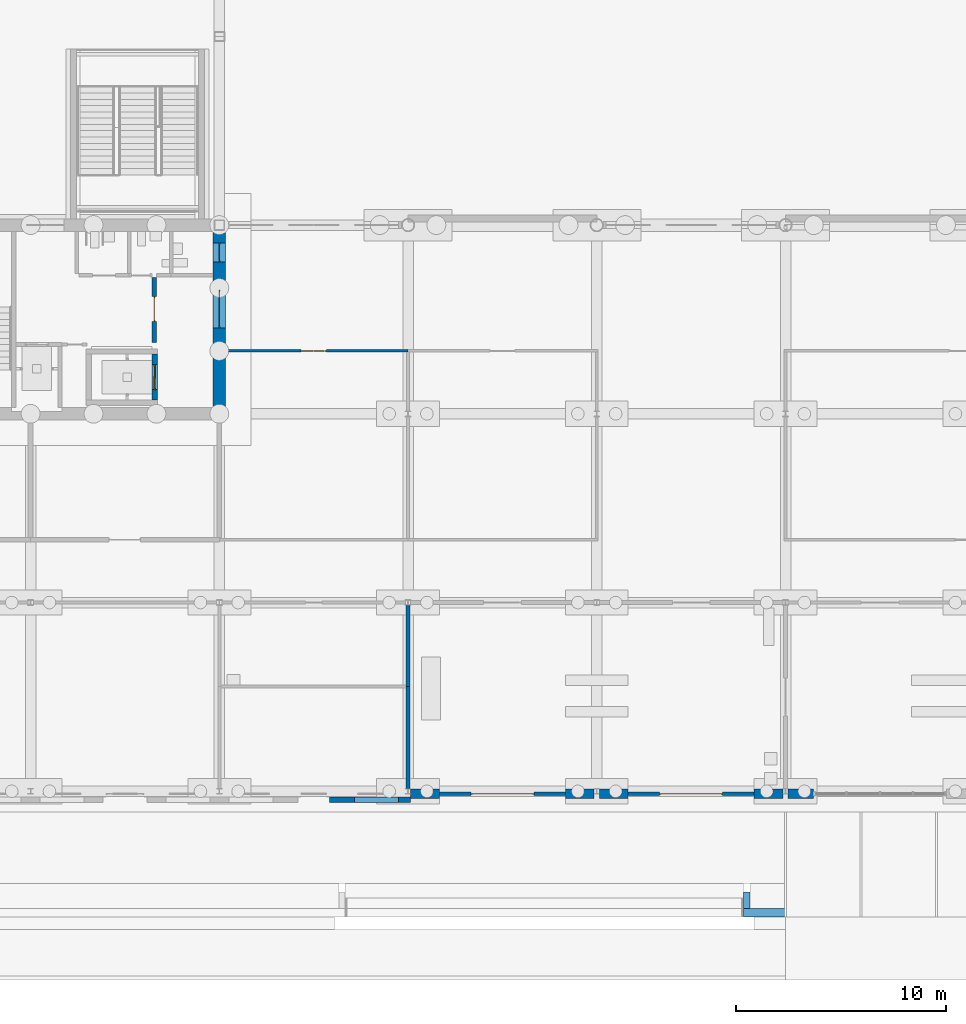
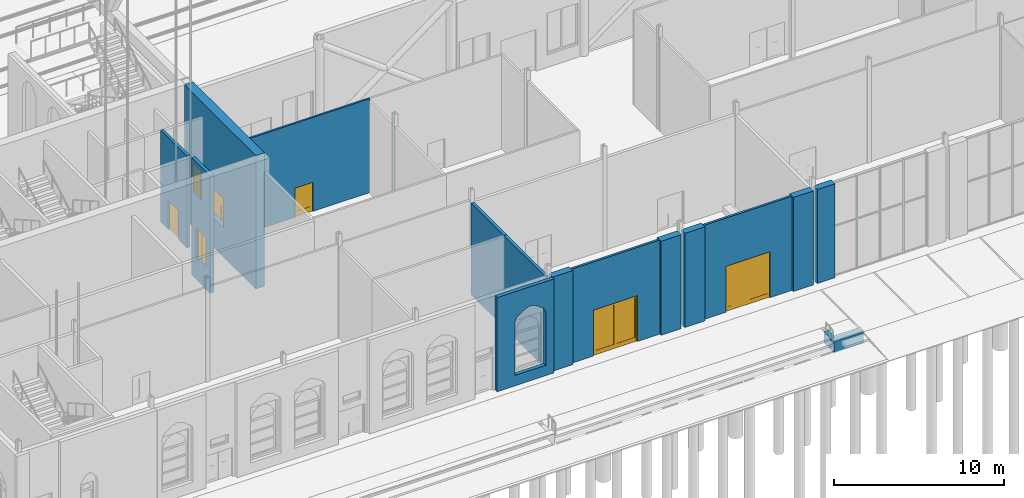
# One storey, part 95 of 250: 16 walls, 7 doors, 7 openings.
"""IFC4 building model written with IfcOpenShell, lengths in metres."""

from ifc_helpers import new_model, si_unit, direction, frame, frame_2d, origin, place, context, subcontext, project, spatial, polyline, rectangle, outline, extrude, material, layer, layer_set, type_object, element, fill, save


model = new_model("IFC4")

# Units and contexts
model_context = context("Model", 3, precision=1e-05, world=origin(), true_north=direction((0.0, 1.0)))
body_context = subcontext(model_context, "Body", "Model", "MODEL_VIEW")
ifc_project = project(units=[si_unit("LENGTHUNIT", "METRE"), si_unit("AREAUNIT", "SQUARE_METRE"), si_unit("VOLUMEUNIT", "CUBIC_METRE"), si_unit("PLANEANGLEUNIT", "RADIAN"), si_unit("MASSUNIT", "GRAM", prefix="KILO")], contexts=[model_context])

# Site, building, storey
site_placement = place(None, origin())
site = spatial("IfcSite", under=ifc_project, at=site_placement, CompositionType="ELEMENT")
building_placement = place(site_placement, origin())
building = spatial("IfcBuilding", under=site, at=building_placement, Name="Baradari Gate Terminus", CompositionType="ELEMENT")
storey_placement = place(building_placement, origin())
storey = spatial("IfcBuildingStorey", under=building, at=storey_placement, Name="L00", CompositionType="ELEMENT", Elevation=0.0)

# Wall, openings, doors
ifc_material_1 = material(Name="Concrete C40/50", Category="concrete")
ifc_layer_1 = layer(ifc_material_1, 0.60009765625)
ifc_layer_set_1 = layer_set([ifc_layer_1], Name="Concrete C40/50")
wall_type_1 = type_object("IfcWallType", Name="Abutment core wall CWL04 600", PredefinedType="SOLIDWALL", material=ifc_layer_set_1)
wall_1_placement = place(storey_placement, frame((90.0, 27.300048828125, -2.10009765625), z_axis=(0.0, 0.0, 1.0), x_axis=(0.0, 1.0, 0.0)))
wall_1 = element("IfcWall", 1, at=wall_1_placement, inside=storey, type_object=wall_type_1, Name="Abutment core wall GS E L00", PredefinedType="SOLIDWALL", context=body_context, shape_type="SweptSolid", body=[
    extrude(rectangle(XDim=8.39990234375, YDim=0.60009765625, at=frame_2d((4.199951171875, 0.0))), origin(), (0.0, 0.0, 1.0), 9.60009765625),
])
opening_1_placement = place(wall_1_placement, frame((3.800048828125, 0.0, 2.10009765625)))
opening_1 = element("IfcOpeningElement", 2, at=opening_1_placement, cuts=wall_1, Name="Opening D00-165", PredefinedType="OPENING", context=body_context, shape_type="SweptSolid", body=[
    extrude(rectangle(XDim=1.800048828125, YDim=2.10009765625, at=frame_2d((0.89990234375, 1.050048828125))), frame((0.0, 0.31005859375, 0.0), z_axis=(0.0, -1.0, 0.0), x_axis=(1.0, 0.0, 0.0)), (0.0, 0.0, 1.0), 0.6201171875),
])
opening_2_placement = place(wall_1_placement, frame((6.949951171875, 0.0, 2.10009765625)))
opening_2 = element("IfcOpeningElement", 3, at=opening_2_placement, cuts=wall_1, Name="Opening D00-169", PredefinedType="OPENING", context=body_context, shape_type="SweptSolid", body=[
    extrude(rectangle(XDim=0.89990234375, YDim=2.10009765625, at=frame_2d((0.449951171875, 1.050048828125))), frame((0.0, 0.31005859375, 0.0), z_axis=(0.0, -1.0, 0.0), x_axis=(1.0, 0.0, 0.0)), (0.0, 0.0, 1.0), 0.6201171875),
])
ifc_material_2 = material(Name="Steel S275", Category="steel")
door_type_1 = type_object("IfcDoorType", Name="Fire door FI-1800-FD90S 1800x2100 FD90S", OperationType="DOUBLE_DOOR_SINGLE_SWING", PredefinedType="DOOR", material=ifc_material_2)
door_1_placement = place(opening_1_placement, origin())
door_1 = element("IfcDoor", 4, at=door_1_placement, inside=storey, type_object=door_type_1, Name="Door Lift Lobby (Fire-fighting)", OperationType="DOUBLE_DOOR_SINGLE_SWING", OverallHeight=2.1, OverallWidth=1.8, PredefinedType="DOOR", context=body_context, shape_type="SweptSolid", body=[
    extrude(outline(polyline([(0.0, 0.0), (0.070068359375, 0.0), (0.070068359375, 2.030029296875), (1.72998046875, 2.030029296875), (1.72998046875, 0.0), (1.800048828125, 0.0), (1.800048828125, 2.10009765625), (0.0, 2.10009765625), (0.0, 0.0)])), frame((0.0, 0.02490234375, 0.0), z_axis=(0.0, -1.0, 0.0), x_axis=(1.0, 0.0, 0.0)), (0.0, 0.0, 1.0), 0.050048828125),
    extrude(outline(polyline([(0.073974609375, 0.010009765625), (0.89697265625, 0.010009765625), (0.89697265625, 2.026123046875), (0.073974609375, 2.026123046875), (0.073974609375, 0.010009765625)]), holes=[polyline([(0.194091796875, 0.159912109375), (0.77685546875, 0.159912109375), (0.77685546875, 1.010009765625), (0.194091796875, 1.010009765625), (0.194091796875, 0.159912109375)]), polyline([(0.33544921875, 1.159912109375), (0.635498046875, 1.159912109375), (0.635498046875, 1.760009765625), (0.33544921875, 1.760009765625), (0.33544921875, 1.159912109375)])]), frame((0.0, 0.017333984375, 0.0), z_axis=(0.0, -1.0, 0.0), x_axis=(1.0, 0.0, 0.0)), (0.0, 0.0, 1.0), 0.034912109375),
    extrude(rectangle(XDim=0.582763671875, YDim=0.85009765625, at=frame_2d((0.4853515625, 0.5849609375))), frame((0.0, 0.008544921875, 0.0), z_axis=(0.0, -1.0, 0.0), x_axis=(1.0, 0.0, 0.0)), (0.0, 0.0, 1.0), 0.017333984375),
    extrude(rectangle(XDim=0.300048828125, YDim=0.60009765625, at=frame_2d((0.4853515625, 1.4599609375))), frame((0.0, 0.005859375, 0.0), z_axis=(0.0, -1.0, 0.0), x_axis=(1.0, 0.0, 0.0)), (0.0, 0.0, 1.0), 0.011962890625),
    extrude(outline(polyline([(0.903076171875, 0.010009765625), (1.72607421875, 0.010009765625), (1.72607421875, 2.026123046875), (0.903076171875, 2.026123046875), (0.903076171875, 0.010009765625)]), holes=[polyline([(1.023193359375, 0.159912109375), (1.60595703125, 0.159912109375), (1.60595703125, 1.010009765625), (1.023193359375, 1.010009765625), (1.023193359375, 0.159912109375)]), polyline([(1.16455078125, 1.159912109375), (1.464599609375, 1.159912109375), (1.464599609375, 1.760009765625), (1.16455078125, 1.760009765625), (1.16455078125, 1.159912109375)])]), frame((0.0, 0.017333984375, 0.0), z_axis=(0.0, -1.0, 0.0), x_axis=(1.0, 0.0, 0.0)), (0.0, 0.0, 1.0), 0.034912109375),
    extrude(rectangle(XDim=0.582763671875, YDim=0.85009765625, at=frame_2d((1.314453125, 0.5849609375))), frame((0.0, 0.008544921875, 0.0), z_axis=(0.0, -1.0, 0.0), x_axis=(1.0, 0.0, 0.0)), (0.0, 0.0, 1.0), 0.017333984375),
    extrude(rectangle(XDim=0.300048828125, YDim=0.60009765625, at=frame_2d((1.314453125, 1.4599609375))), frame((0.0, 0.005859375, 0.0), z_axis=(0.0, -1.0, 0.0), x_axis=(1.0, 0.0, 0.0)), (0.0, 0.0, 1.0), 0.011962890625),
])
fill(opening_1, door_1)
ifc_material_3 = material(Name="Steel S275", Category="steel")
door_type_2 = type_object("IfcDoorType", Name="Fire door FI-900-FD90S 900x2100 FD90S", OperationType="SINGLE_SWING_LEFT", PredefinedType="DOOR", material=ifc_material_3)
door_2_placement = place(opening_2_placement, origin())
door_2 = element("IfcDoor", 5, at=door_2_placement, inside=storey, type_object=door_type_2, Name="Door Female WC", OperationType="SINGLE_SWING_LEFT", OverallHeight=2.1, OverallWidth=0.9, PredefinedType="DOOR", context=body_context, shape_type="SweptSolid", body=[
    extrude(outline(polyline([(0.0, 0.0), (0.070068359375, 0.0), (0.070068359375, 2.030029296875), (0.829833984375, 2.030029296875), (0.829833984375, 0.0), (0.89990234375, 0.0), (0.89990234375, 2.10009765625), (0.0, 2.10009765625), (0.0, 0.0)])), frame((0.0, 0.02490234375, 0.0), z_axis=(0.0, -1.0, 0.0), x_axis=(1.0, 0.0, 0.0)), (0.0, 0.0, 1.0), 0.050048828125),
    extrude(outline(polyline([(0.073974609375, 0.010009765625), (0.825927734375, 0.010009765625), (0.825927734375, 2.026123046875), (0.073974609375, 2.026123046875), (0.073974609375, 0.010009765625)]), holes=[polyline([(0.194091796875, 0.159912109375), (0.705810546875, 0.159912109375), (0.705810546875, 1.010009765625), (0.194091796875, 1.010009765625), (0.194091796875, 0.159912109375)]), polyline([(0.300048828125, 1.159912109375), (0.599853515625, 1.159912109375), (0.599853515625, 1.760009765625), (0.300048828125, 1.760009765625), (0.300048828125, 1.159912109375)])]), frame((0.0, 0.017333984375, 0.0), z_axis=(0.0, -1.0, 0.0), x_axis=(1.0, 0.0, 0.0)), (0.0, 0.0, 1.0), 0.034912109375),
    extrude(rectangle(XDim=0.51171875, YDim=0.85009765625, at=frame_2d((0.449951171875, 0.5849609375))), frame((0.0, 0.008544921875, 0.0), z_axis=(0.0, -1.0, 0.0), x_axis=(1.0, 0.0, 0.0)), (0.0, 0.0, 1.0), 0.017333984375),
    extrude(rectangle(XDim=0.2998046875, YDim=0.60009765625, at=frame_2d((0.449951171875, 1.4599609375))), frame((0.0, 0.005859375, 0.0), z_axis=(0.0, -1.0, 0.0), x_axis=(1.0, 0.0, 0.0)), (0.0, 0.0, 1.0), 0.011962890625),
])
fill(opening_2, door_2)

# Wall, opening, door
ifc_material_4 = material(Name="Gypsum board")
ifc_layer_2 = layer(ifc_material_4, 0.125)
ifc_layer_set_2 = layer_set([ifc_layer_2], Name="Gypsum board")
wall_type_2 = type_object("IfcWallType", Name="Corridor partition PT-5 125 EI 30", PredefinedType="PARTITIONING", material=ifc_layer_set_2)
wall_2_placement = place(storey_placement, frame((99.0, 30.0, 0.0), z_axis=(0.0, 0.0, 1.0), x_axis=(-1.0, 0.0, 0.0)))
wall_2 = element("IfcWall", 6, at=wall_2_placement, inside=storey, type_object=wall_type_2, Name="PT-5 partition Corridor (Platform Passage South) / Station Operations Room", PredefinedType="PARTITIONING", context=body_context, shape_type="SweptSolid", body=[
    extrude(rectangle(XDim=8.697998046875, YDim=0.125, at=frame_2d((4.34912109375, 0.0))), origin(), (0.0, 0.0, 1.0), 6.757080078125),
])
opening_3_placement = place(wall_2_placement, frame((3.89990234375, 0.0, 0.0)))
opening_3 = element("IfcOpeningElement", 7, at=opening_3_placement, cuts=wall_2, Name="Opening D00-132", PredefinedType="OPENING", context=body_context, shape_type="SweptSolid", body=[
    extrude(rectangle(XDim=1.199951171875, YDim=2.10009765625, at=frame_2d((0.60009765625, 1.050048828125))), frame((0.0, 0.072509765625, 0.0), z_axis=(0.0, -1.0, 0.0), x_axis=(1.0, 0.0, 0.0)), (0.0, 0.0, 1.0), 0.14501953125),
])
ifc_material_5 = material(Name="Steel S275", Category="steel")
door_type_3 = type_object("IfcDoorType", Name="Fire door FI-1200-FD30S 1200x2100 FD30S", OperationType="DOUBLE_DOOR_SINGLE_SWING", PredefinedType="DOOR", material=ifc_material_5)
door_3_placement = place(opening_3_placement, origin())
door_3 = element("IfcDoor", 8, at=door_3_placement, inside=storey, type_object=door_type_3, Name="Door Station Operations Room", OperationType="DOUBLE_DOOR_SINGLE_SWING", OverallHeight=2.1, OverallWidth=1.2, PredefinedType="DOOR", context=body_context, shape_type="SweptSolid", body=[
    extrude(outline(polyline([(0.0, 0.0), (0.070068359375, 0.0), (0.070068359375, 2.030029296875), (1.1298828125, 2.030029296875), (1.1298828125, 0.0), (1.199951171875, 0.0), (1.199951171875, 2.10009765625), (0.0, 2.10009765625), (0.0, 0.0)])), frame((0.0, 0.02490234375, 0.0), z_axis=(0.0, -1.0, 0.0), x_axis=(1.0, 0.0, 0.0)), (0.0, 0.0, 1.0), 0.050048828125),
    extrude(outline(polyline([(0.073974609375, 0.010009765625), (0.596923828125, 0.010009765625), (0.596923828125, 2.026123046875), (0.073974609375, 2.026123046875), (0.073974609375, 0.010009765625)]), holes=[polyline([(0.178466796875, 0.372802734375), (0.492431640625, 0.372802734375), (0.492431640625, 1.7841796875), (0.178466796875, 1.7841796875), (0.178466796875, 0.372802734375)])]), frame((0.0, 0.017333984375, 0.0), z_axis=(0.0, -1.0, 0.0), x_axis=(1.0, 0.0, 0.0)), (0.0, 0.0, 1.0), 0.034912109375),
    extrude(rectangle(XDim=0.31396484375, YDim=1.411376953125, at=frame_2d((0.33544921875, 1.07861328125))), frame((0.0, 0.008544921875, 0.0), z_axis=(0.0, -1.0, 0.0), x_axis=(1.0, 0.0, 0.0)), (0.0, 0.0, 1.0), 0.017333984375),
    extrude(outline(polyline([(0.60302734375, 0.010009765625), (1.1259765625, 0.010009765625), (1.1259765625, 2.026123046875), (0.60302734375, 2.026123046875), (0.60302734375, 0.010009765625)]), holes=[polyline([(0.70751953125, 0.372802734375), (1.021484375, 0.372802734375), (1.021484375, 1.7841796875), (0.70751953125, 1.7841796875), (0.70751953125, 0.372802734375)])]), frame((0.0, 0.017333984375, 0.0), z_axis=(0.0, -1.0, 0.0), x_axis=(1.0, 0.0, 0.0)), (0.0, 0.0, 1.0), 0.034912109375),
    extrude(rectangle(XDim=0.31396484375, YDim=1.411376953125, at=frame_2d((0.864501953125, 1.07861328125))), frame((0.0, 0.008544921875, 0.0), z_axis=(0.0, -1.0, 0.0), x_axis=(1.0, 0.0, 0.0)), (0.0, 0.0, 1.0), 0.017333984375),
])
fill(opening_3, door_3)

ifc_material_6 = material(Name="Concrete C32/40", Category="concrete")
ifc_layer_3 = layer(ifc_material_6, 0.25)
ifc_layer_set_3 = layer_set([ifc_layer_3], Name="Concrete C32/40")
wall_type_3 = type_object("IfcWallType", Name="Firefighting lift shaft wall SH-2 250 EI 120", PredefinedType="SOLIDWALL", material=ifc_layer_set_3)
wall_3_placement = place(storey_placement, frame((86.925048828125, 27.64990234375, -1.60009765625), z_axis=(0.0, 0.0, 1.0), x_axis=(0.0, 1.0, 0.0)))
wall_3 = element("IfcWall", 9, at=wall_3_placement, inside=storey, type_object=wall_type_3, Name="Lift shaft wall LGS2 L00 E", PredefinedType="SOLIDWALL", context=body_context, shape_type="SweptSolid", body=[
    extrude(rectangle(XDim=2.2001953125, YDim=0.25, at=frame_2d((1.10009765625, 0.0))), origin(), (0.0, 0.0, 1.0), 8.43603515625),
])
opening_4_placement = place(wall_3_placement, frame((0.5, 0.0, 1.60009765625)))
opening_4 = element("IfcOpeningElement", 10, at=opening_4_placement, cuts=wall_3, Name="Opening D00-071", PredefinedType="OPENING", context=body_context, shape_type="SweptSolid", body=[
    extrude(rectangle(XDim=1.199951171875, YDim=2.10009765625, at=frame_2d((0.60009765625, 1.050048828125))), frame((0.0, 0.135009765625, 0.0), z_axis=(0.0, -1.0, 0.0), x_axis=(1.0, 0.0, 0.0)), (0.0, 0.0, 1.0), 0.27001953125),
])
ifc_material_7 = material(Name="Stainless steel 1.4301", Category="steel")
door_type_4 = type_object("IfcDoorType", Name="Lift landing door LD2 1200x2100 E 120", OperationType="SLIDING_TO_LEFT", PredefinedType="DOOR", material=ifc_material_7)
door_4_placement = place(opening_4_placement, origin())
door_4 = element("IfcDoor", 11, at=door_4_placement, inside=storey, type_object=door_type_4, Name="Lift landing door LGS2 L00", OperationType="SLIDING_TO_LEFT", OverallHeight=2.1, OverallWidth=1.2, PredefinedType="DOOR", context=body_context, shape_type="SweptSolid", body=[
    extrude(outline(polyline([(0.0, 0.0), (0.070068359375, 0.0), (0.070068359375, 2.030029296875), (1.1298828125, 2.030029296875), (1.1298828125, 0.0), (1.199951171875, 0.0), (1.199951171875, 2.10009765625), (0.0, 2.10009765625), (0.0, 0.0)])), frame((0.0, 0.02490234375, 0.0), z_axis=(0.0, -1.0, 0.0), x_axis=(1.0, 0.0, 0.0)), (0.0, 0.0, 1.0), 0.050048828125),
    extrude(rectangle(XDim=0.57861328125, YDim=2.01611328125, at=frame_2d((0.36328125, 1.01806640625))), frame((0.0, 0.017822265625, 0.0), z_axis=(0.0, -1.0, 0.0), x_axis=(1.0, 0.0, 0.0)), (0.0, 0.0, 1.0), 0.015869140625),
    extrude(rectangle(XDim=0.57470703125, YDim=2.01611328125, at=frame_2d((0.838623046875, 1.01806640625))), frame((0.0, -0.002197265625, 0.0), z_axis=(0.0, -1.0, 0.0), x_axis=(1.0, 0.0, 0.0)), (0.0, 0.0, 1.0), 0.015869140625),
])
fill(opening_4, door_4)

ifc_material_8 = material(Name="Laminated glass in aluminium frame", Category="aluminium")
ifc_layer_4 = layer(ifc_material_8, 0.14990234375)
ifc_layer_set_4 = layer_set([ifc_layer_4], Name="Laminated glass in aluminium frame")
wall_type_4 = type_object("IfcWallType", Name="Glazed entrance screen WG-1 150", PredefinedType="ELEMENTEDWALL", material=ifc_layer_set_4)
wall_4_placement = place(storey_placement, frame((100.5, 8.880126953125, 0.0), z_axis=(0.0, 0.0, 1.0), x_axis=(1.0, 0.0, 0.0)))
wall_4 = element("IfcWall", 12, at=wall_4_placement, inside=storey, type_object=wall_type_4, Name="Glazed entrance screen SS bay 11 L00", PredefinedType="ELEMENTEDWALL", context=body_context, shape_type="SweptSolid", body=[
    extrude(rectangle(XDim=6.0, YDim=0.14990234375, at=frame_2d((3.0, 0.0))), origin(), (0.0, 0.0, 1.0), 6.767333984375),
])
opening_5_placement = place(wall_4_placement, frame((1.5, 0.0, 0.0)))
opening_5 = element("IfcOpeningElement", 13, at=opening_5_placement, cuts=wall_4, Name="Opening D00-049", PredefinedType="OPENING", context=body_context, shape_type="SweptSolid", body=[
    extrude(rectangle(XDim=3.0, YDim=3.300048828125, at=frame_2d((1.5, 1.64990234375))), frame((0.0, 0.0849609375, 0.0), z_axis=(0.0, -1.0, 0.0), x_axis=(1.0, 0.0, 0.0)), (0.0, 0.0, 1.0), 0.169921875),
])
ifc_material_9 = material(Name="Aluminium 6063-T6", Category="aluminium")
door_type_5 = type_object("IfcDoorType", Name="South entrance door pair, glazed DT-10 3000x3300", OperationType="DOUBLE_DOOR_SINGLE_SWING", PredefinedType="DOOR", material=ifc_material_9)
door_5_placement = place(opening_5_placement, frame((3.0, 0.0, 0.0), z_axis=(0.0, 0.0, 1.0), x_axis=(-1.0, 0.0, 0.0)))
door_5 = element("IfcDoor", 14, at=door_5_placement, inside=storey, type_object=door_type_5, Name="Entrance door South Entrance Lobby", OperationType="DOUBLE_DOOR_SINGLE_SWING", OverallHeight=3.3, OverallWidth=3.0, PredefinedType="DOOR", context=body_context, shape_type="SweptSolid", body=[
    extrude(outline(polyline([(0.0, 0.0), (0.070068359375, 0.0), (0.070068359375, 3.22998046875), (2.929931640625, 3.22998046875), (2.929931640625, 0.0), (3.0, 0.0), (3.0, 3.300048828125), (0.0, 3.300048828125), (0.0, 0.0)])), frame((0.0, 0.02490234375, 0.0), z_axis=(0.0, -1.0, 0.0), x_axis=(1.0, 0.0, 0.0)), (0.0, 0.0, 1.0), 0.050048828125),
    extrude(outline(polyline([(0.073974609375, 0.010009765625), (1.4970703125, 0.010009765625), (1.4970703125, 3.22607421875), (0.073974609375, 3.22607421875), (0.073974609375, 0.010009765625)]), holes=[polyline([(0.1640625, 0.31005859375), (1.406982421875, 0.31005859375), (1.406982421875, 3.135986328125), (0.1640625, 3.135986328125), (0.1640625, 0.31005859375)])]), frame((0.0, 0.017333984375, 0.0), z_axis=(0.0, -1.0, 0.0), x_axis=(1.0, 0.0, 0.0)), (0.0, 0.0, 1.0), 0.034912109375),
    extrude(rectangle(XDim=1.242919921875, YDim=2.825927734375, at=frame_2d((0.78564453125, 1.72314453125))), frame((0.0, 0.005859375, 0.0), z_axis=(0.0, -1.0, 0.0), x_axis=(1.0, 0.0, 0.0)), (0.0, 0.0, 1.0), 0.011962890625),
    extrude(outline(polyline([(1.5029296875, 0.010009765625), (2.926025390625, 0.010009765625), (2.926025390625, 3.22607421875), (1.5029296875, 3.22607421875), (1.5029296875, 0.010009765625)]), holes=[polyline([(1.593017578125, 0.31005859375), (2.8359375, 0.31005859375), (2.8359375, 3.135986328125), (1.593017578125, 3.135986328125), (1.593017578125, 0.31005859375)])]), frame((0.0, 0.017333984375, 0.0), z_axis=(0.0, -1.0, 0.0), x_axis=(1.0, 0.0, 0.0)), (0.0, 0.0, 1.0), 0.034912109375),
    extrude(rectangle(XDim=1.242919921875, YDim=2.825927734375, at=frame_2d((2.21435546875, 1.72314453125))), frame((0.0, 0.005859375, 0.0), z_axis=(0.0, -1.0, 0.0), x_axis=(1.0, 0.0, 0.0)), (0.0, 0.0, 1.0), 0.011962890625),
])
fill(opening_5, door_5)

wall_5_placement = place(storey_placement, frame((109.5, 8.880126953125, 0.0), z_axis=(0.0, 0.0, 1.0), x_axis=(1.0, 0.0, 0.0)))
wall_5 = element("IfcWall", 15, at=wall_5_placement, inside=storey, type_object=wall_type_4, Name="Glazed entrance screen SS bay 12 L00", PredefinedType="ELEMENTEDWALL", context=body_context, shape_type="SweptSolid", body=[
    extrude(rectangle(XDim=6.0, YDim=0.14990234375, at=frame_2d((3.0, 0.0))), origin(), (0.0, 0.0, 1.0), 6.767333984375),
])
opening_6_placement = place(wall_5_placement, frame((1.5, 0.0, 0.0)))
opening_6 = element("IfcOpeningElement", 16, at=opening_6_placement, cuts=wall_5, Name="Opening D00-050", PredefinedType="OPENING", context=body_context, shape_type="SweptSolid", body=[
    extrude(rectangle(XDim=3.0, YDim=3.300048828125, at=frame_2d((1.5, 1.64990234375))), frame((0.0, 0.0849609375, 0.0), z_axis=(0.0, -1.0, 0.0), x_axis=(1.0, 0.0, 0.0)), (0.0, 0.0, 1.0), 0.169921875),
])
door_6_placement = place(opening_6_placement, frame((3.0, 0.0, 0.0), z_axis=(0.0, 0.0, 1.0), x_axis=(-1.0, 0.0, 0.0)))
door_6 = element("IfcDoor", 17, at=door_6_placement, inside=storey, type_object=door_type_5, Name="Entrance door South Entrance Lobby", OperationType="DOUBLE_DOOR_SINGLE_SWING", OverallHeight=3.3, OverallWidth=3.0, PredefinedType="DOOR", context=body_context, shape_type="SweptSolid", body=[
    extrude(outline(polyline([(0.0, 0.0), (0.070068359375, 0.0), (0.070068359375, 3.22998046875), (2.929931640625, 3.22998046875), (2.929931640625, 0.0), (3.0, 0.0), (3.0, 3.300048828125), (0.0, 3.300048828125), (0.0, 0.0)])), frame((0.0, 0.02490234375, 0.0), z_axis=(0.0, -1.0, 0.0), x_axis=(1.0, 0.0, 0.0)), (0.0, 0.0, 1.0), 0.050048828125),
    extrude(outline(polyline([(0.073974609375, 0.010009765625), (1.4970703125, 0.010009765625), (1.4970703125, 3.22607421875), (0.073974609375, 3.22607421875), (0.073974609375, 0.010009765625)]), holes=[polyline([(0.1640625, 0.31005859375), (1.406982421875, 0.31005859375), (1.406982421875, 3.135986328125), (0.1640625, 3.135986328125), (0.1640625, 0.31005859375)])]), frame((0.0, 0.017333984375, 0.0), z_axis=(0.0, -1.0, 0.0), x_axis=(1.0, 0.0, 0.0)), (0.0, 0.0, 1.0), 0.034912109375),
    extrude(rectangle(XDim=1.242919921875, YDim=2.825927734375, at=frame_2d((0.78564453125, 1.72314453125))), frame((0.0, 0.005859375, 0.0), z_axis=(0.0, -1.0, 0.0), x_axis=(1.0, 0.0, 0.0)), (0.0, 0.0, 1.0), 0.011962890625),
    extrude(outline(polyline([(1.5029296875, 0.010009765625), (2.926025390625, 0.010009765625), (2.926025390625, 3.22607421875), (1.5029296875, 3.22607421875), (1.5029296875, 0.010009765625)]), holes=[polyline([(1.593017578125, 0.31005859375), (2.8359375, 0.31005859375), (2.8359375, 3.135986328125), (1.593017578125, 3.135986328125), (1.593017578125, 0.31005859375)])]), frame((0.0, 0.017333984375, 0.0), z_axis=(0.0, -1.0, 0.0), x_axis=(1.0, 0.0, 0.0)), (0.0, 0.0, 1.0), 0.034912109375),
    extrude(rectangle(XDim=1.242919921875, YDim=2.825927734375, at=frame_2d((2.21435546875, 1.72314453125))), frame((0.0, 0.005859375, 0.0), z_axis=(0.0, -1.0, 0.0), x_axis=(1.0, 0.0, 0.0)), (0.0, 0.0, 1.0), 0.011962890625),
])
fill(opening_6, door_6)

# Walls
ifc_material_10 = material(Name="Laterite masonry", Category="masonry")
ifc_layer_5 = layer(ifc_material_10, 0.449951171875)
ifc_layer_set_5 = layer_set([ifc_layer_5], Name="Laterite masonry")
wall_type_5 = type_object("IfcWallType", Name="Laterite masonry pier WC-1 450", PredefinedType="SOLIDWALL", material=ifc_layer_set_5)
for number, where, z_axis, x_axis, name in (
    (18, (99.127197265625, 8.880126953125, 0.0), (0.0, 0.0, 1.0), (1.0, 0.0, 0.0), "Stone-clad pier SS bay 11 L00"),
    (19, (106.5, 8.880126953125, 0.0), (0.0, 0.0, 1.0), (1.0, 0.0, 0.0), "Stone-clad pier SS bay 11 L00"),
    (20, (108.127197265625, 8.880126953125, 0.0), (0.0, 0.0, 1.0), (1.0, 0.0, 0.0), "Stone-clad pier SS bay 12 L00"),
    (21, (115.5, 8.880126953125, 0.0), (0.0, 0.0, 1.0), (1.0, 0.0, 0.0), "Stone-clad pier SS bay 12 L00"),
):
    element("IfcWall", number, at=place(storey_placement, frame(where, z_axis=z_axis, x_axis=x_axis)), inside=storey, type_object=wall_type_5, Name=name, PredefinedType="SOLIDWALL", context=body_context, shape_type="SweptSolid", body=[
        extrude(rectangle(XDim=1.372802734375, YDim=0.449951171875, at=frame_2d((0.6865234375, 0.0))), origin(), (0.0, 0.0, 1.0), 6.767333984375),
    ])
wall_6_placement = place(storey_placement, frame((117.127197265625, 8.880126953125, 0.0), z_axis=(0.0, 0.0, 1.0), x_axis=(1.0, 0.0, 0.0)))
element("IfcWall", 22, at=wall_6_placement, inside=storey, type_object=wall_type_5, Name="Stone-clad pier SS bay 14 L00", PredefinedType="SOLIDWALL", context=body_context, shape_type="SweptSolid", body=[
    extrude(rectangle(XDim=1.2001953125, YDim=0.449951171875, at=frame_2d((0.60009765625, 0.0))), origin(), (0.0, 0.0, 1.0), 6.767333984375),
])
ifc_material_11 = material(Name="Laterite masonry", Category="masonry")
ifc_layer_6 = layer(ifc_material_11, 0.25)
ifc_layer_set_6 = layer_set([ifc_layer_6], Name="Laterite masonry")
wall_type_6 = type_object("IfcWallType", Name="Laterite masonry wall WP-1 250", PredefinedType="SOLIDWALL", material=ifc_layer_set_6)
wall_7_placement = place(storey_placement, frame((95.25, 8.594970703125, 0.0), z_axis=(0.0, 0.0, 1.0), x_axis=(1.0, 0.0, 0.0)))
element("IfcWall", 23, at=wall_7_placement, inside=storey, type_object=wall_type_6, Name="Front course SS 2d 1", PredefinedType="SOLIDWALL", context=body_context, shape_type="SweptSolid", body=[
    extrude(outline(polyline([(0.0, 0.0), (3.877197265625, 0.0), (3.877197265625, 6.767333984375), (0.0, 6.767333984375), (0.0, 0.0)]), holes=[polyline([(1.199951171875, 0.75), (1.199951171875, 4.5), (1.241943359375, 4.751953125), (1.409912109375, 4.968017578125), (1.556884765625, 5.02197265625), (1.68310546875, 5.166015625), (1.9560546875, 5.31005859375), (2.25, 5.39990234375), (2.5439453125, 5.31005859375), (2.81689453125, 5.166015625), (2.943115234375, 5.02197265625), (3.090087890625, 4.968017578125), (3.258056640625, 4.751953125), (3.300048828125, 4.5), (3.300048828125, 0.75), (1.199951171875, 0.75)])]), frame((0.0, 0.125, 0.0), z_axis=(0.0, -1.0, 0.0), x_axis=(1.0, 0.0, 0.0)), (0.0, 0.0, 1.0), 0.25),
])
ifc_material_12 = material(Name="Blockwork wall, plastered, fire rated", Category="masonry")
ifc_layer_7 = layer(ifc_material_12, 0.199951171875)
ifc_layer_set_7 = layer_set([ifc_layer_7], Name="Blockwork wall, plastered, fire rated")
wall_type_7 = type_object("IfcWallType", Name="Lobby partition PT-4 200 EI 60", PredefinedType="PARTITIONING", material=ifc_layer_set_7)
wall_8_placement = place(storey_placement, frame((99.0, 9.126953125, 0.0), z_axis=(0.0, 0.0, 1.0), x_axis=(0.0, 1.0, 0.0)))
element("IfcWall", 24, at=wall_8_placement, inside=storey, type_object=wall_type_7, Name="PT-4 partition South Entrance Lobby / Station Security Office", PredefinedType="PARTITIONING", context=body_context, shape_type="SweptSolid", body=[
    extrude(rectangle(XDim=4.873046875, YDim=0.199951171875, at=frame_2d((2.4365234375, 0.0))), origin(), (0.0, 0.0, 1.0), 6.60009765625),
])
wall_9_placement = place(storey_placement, frame((99.0, 14.0, 0.0), z_axis=(0.0, 0.0, 1.0), x_axis=(0.0, 1.0, 0.0)))
element("IfcWall", 25, at=wall_9_placement, inside=storey, type_object=wall_type_7, Name="PT-4 partition South Entrance Lobby / Cleaner's Store 2", PredefinedType="PARTITIONING", context=body_context, shape_type="SweptSolid", body=[
    extrude(rectangle(XDim=3.869873046875, YDim=0.199951171875, at=frame_2d((1.93505859375, 0.0))), origin(), (0.0, 0.0, 1.0), 6.60009765625),
])

# Wall, opening, door
wall_10_placement = place(storey_placement, frame((86.89990234375, 33.5, 0.0), z_axis=(0.0, 0.0, 1.0), x_axis=(0.0, -1.0, 0.0)))
wall_10 = element("IfcWall", 26, at=wall_10_placement, inside=storey, type_object=wall_type_7, Name="PT-4 partition Lift Lobby / Lift Lobby (Fire-fighting)", PredefinedType="PARTITIONING", context=body_context, shape_type="SweptSolid", body=[
    extrude(rectangle(XDim=3.10009765625, YDim=0.199951171875, at=frame_2d((1.550048828125, 0.0))), origin(), (0.0, 0.0, 1.0), 6.60009765625),
])
opening_7_placement = place(wall_10_placement, frame((0.89990234375, 0.0, 0.0)))
opening_7 = element("IfcOpeningElement", 27, at=opening_7_placement, cuts=wall_10, Name="Opening D00-164", PredefinedType="OPENING", context=body_context, shape_type="SweptSolid", body=[
    extrude(rectangle(XDim=1.199951171875, YDim=2.10009765625, at=frame_2d((0.60009765625, 1.050048828125))), frame((0.0, 0.10986328125, 0.0), z_axis=(0.0, -1.0, 0.0), x_axis=(1.0, 0.0, 0.0)), (0.0, 0.0, 1.0), 0.219970703125),
])
ifc_material_13 = material(Name="Steel S275", Category="steel")
door_type_6 = type_object("IfcDoorType", Name="Fire door FI-1200-FD60S 1200x2100 FD60S", OperationType="DOUBLE_DOOR_SINGLE_SWING", PredefinedType="DOOR", material=ifc_material_13)
door_7_placement = place(opening_7_placement, origin())
door_7 = element("IfcDoor", 28, at=door_7_placement, inside=storey, type_object=door_type_6, Name="Door Lift Lobby (Fire-fighting)", OperationType="DOUBLE_DOOR_SINGLE_SWING", OverallHeight=2.1, OverallWidth=1.2, PredefinedType="DOOR", context=body_context, shape_type="SweptSolid", body=[
    extrude(outline(polyline([(0.0, 0.0), (0.070068359375, 0.0), (0.070068359375, 2.030029296875), (1.1298828125, 2.030029296875), (1.1298828125, 0.0), (1.199951171875, 0.0), (1.199951171875, 2.10009765625), (0.0, 2.10009765625), (0.0, 0.0)])), frame((0.0, 0.02490234375, 0.0), z_axis=(0.0, -1.0, 0.0), x_axis=(1.0, 0.0, 0.0)), (0.0, 0.0, 1.0), 0.050048828125),
    extrude(outline(polyline([(0.073974609375, 0.010009765625), (0.596923828125, 0.010009765625), (0.596923828125, 2.026123046875), (0.073974609375, 2.026123046875), (0.073974609375, 0.010009765625)]), holes=[polyline([(0.178466796875, 0.372802734375), (0.492431640625, 0.372802734375), (0.492431640625, 1.7841796875), (0.178466796875, 1.7841796875), (0.178466796875, 0.372802734375)])]), frame((0.0, 0.017333984375, 0.0), z_axis=(0.0, -1.0, 0.0), x_axis=(1.0, 0.0, 0.0)), (0.0, 0.0, 1.0), 0.034912109375),
    extrude(rectangle(XDim=0.31396484375, YDim=1.411376953125, at=frame_2d((0.33544921875, 1.07861328125))), frame((0.0, 0.008544921875, 0.0), z_axis=(0.0, -1.0, 0.0), x_axis=(1.0, 0.0, 0.0)), (0.0, 0.0, 1.0), 0.017333984375),
    extrude(outline(polyline([(0.60302734375, 0.010009765625), (1.1259765625, 0.010009765625), (1.1259765625, 2.026123046875), (0.60302734375, 2.026123046875), (0.60302734375, 0.010009765625)]), holes=[polyline([(0.70751953125, 0.372802734375), (1.021484375, 0.372802734375), (1.021484375, 1.7841796875), (0.70751953125, 1.7841796875), (0.70751953125, 0.372802734375)])]), frame((0.0, 0.017333984375, 0.0), z_axis=(0.0, -1.0, 0.0), x_axis=(1.0, 0.0, 0.0)), (0.0, 0.0, 1.0), 0.034912109375),
    extrude(rectangle(XDim=0.31396484375, YDim=1.411376953125, at=frame_2d((0.864501953125, 1.07861328125))), frame((0.0, 0.008544921875, 0.0), z_axis=(0.0, -1.0, 0.0), x_axis=(1.0, 0.0, 0.0)), (0.0, 0.0, 1.0), 0.017333984375),
])
fill(opening_7, door_7)

# Walls
ifc_material_14 = material(Name="Sandstone masonry", Category="masonry")
ifc_layer_8 = layer(ifc_material_14, 0.39990234375)
ifc_layer_set_8 = layer_set([ifc_layer_8], Name="Sandstone masonry")
wall_type_8 = type_object("IfcWallType", Name="Plinth retaining wall KW-1 400", PredefinedType="SOLIDWALL", material=ifc_layer_set_8)
wall_11_placement = place(storey_placement, frame((115.0, 3.199951171875, -0.800048828125), z_axis=(0.0, 0.0, 1.0), x_axis=(1.0, 0.0, 0.0)))
element("IfcWall", 29, at=wall_11_placement, inside=storey, type_object=wall_type_8, Name="Plinth retaining wall S2", PredefinedType="SOLIDWALL", context=body_context, shape_type="SweptSolid", body=[
    extrude(rectangle(XDim=2.0, YDim=0.39990234375, at=frame_2d((1.0, 0.0))), origin(), (0.0, 0.0, 1.0), 0.800048828125),
])
ifc_material_15 = material(Name="Sandstone masonry", Category="masonry")
ifc_layer_9 = layer(ifc_material_15, 0.300048828125)
ifc_layer_set_9 = layer_set([ifc_layer_9], Name="Sandstone masonry")
wall_type_9 = type_object("IfcWallType", Name="Retaining cheek wall KW-2 300", PredefinedType="SOLIDWALL", material=ifc_layer_set_9)
wall_12_placement = place(storey_placement, frame((115.14990234375, 3.39990234375, -0.800048828125), z_axis=(0.0, 0.0, 1.0), x_axis=(0.0, 1.0, 0.0)))
element("IfcWall", 30, at=wall_12_placement, inside=storey, type_object=wall_type_9, Name="Return wall South entrance gate b", PredefinedType="SOLIDWALL", context=body_context, shape_type="SweptSolid", body=[
    extrude(rectangle(XDim=0.800048828125, YDim=0.300048828125, at=frame_2d((0.39990234375, 0.0))), origin(), (0.0, 0.0, 1.0), 0.800048828125),
])

save(model, "model.ifc")
